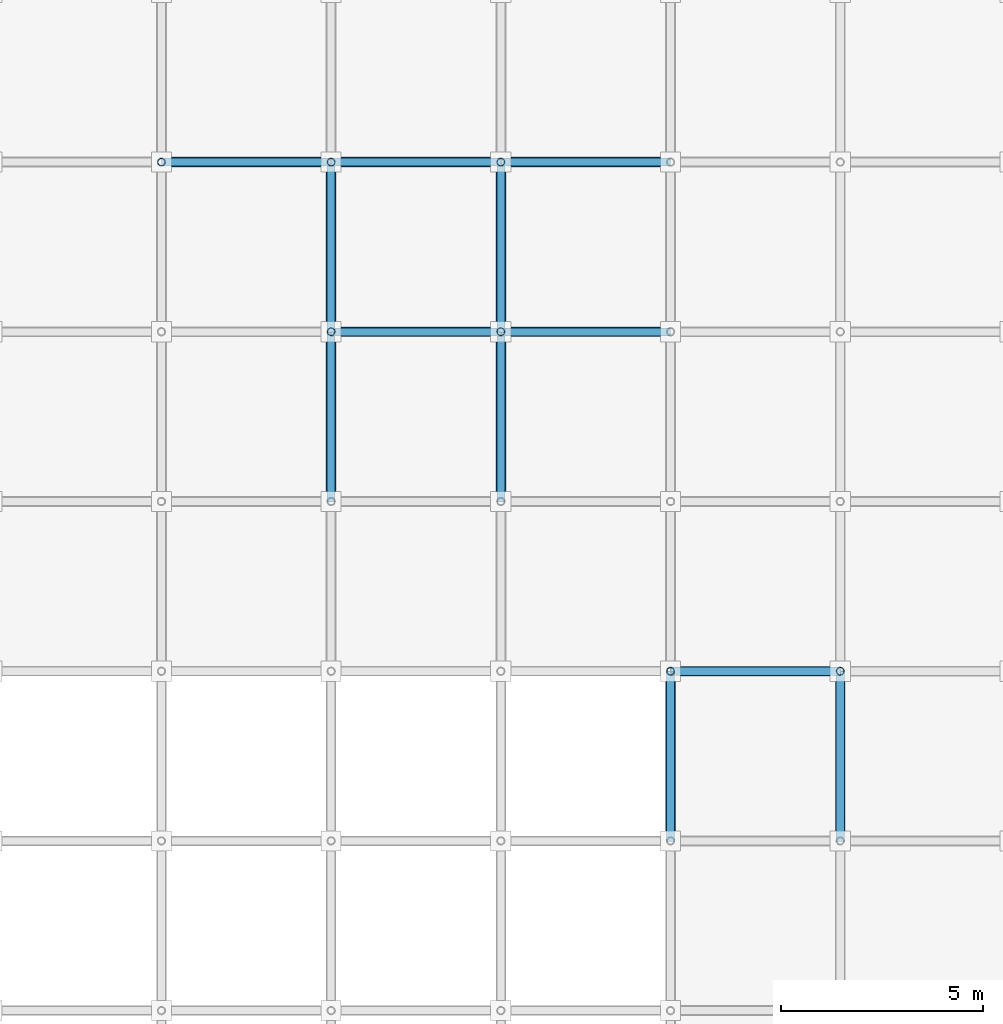
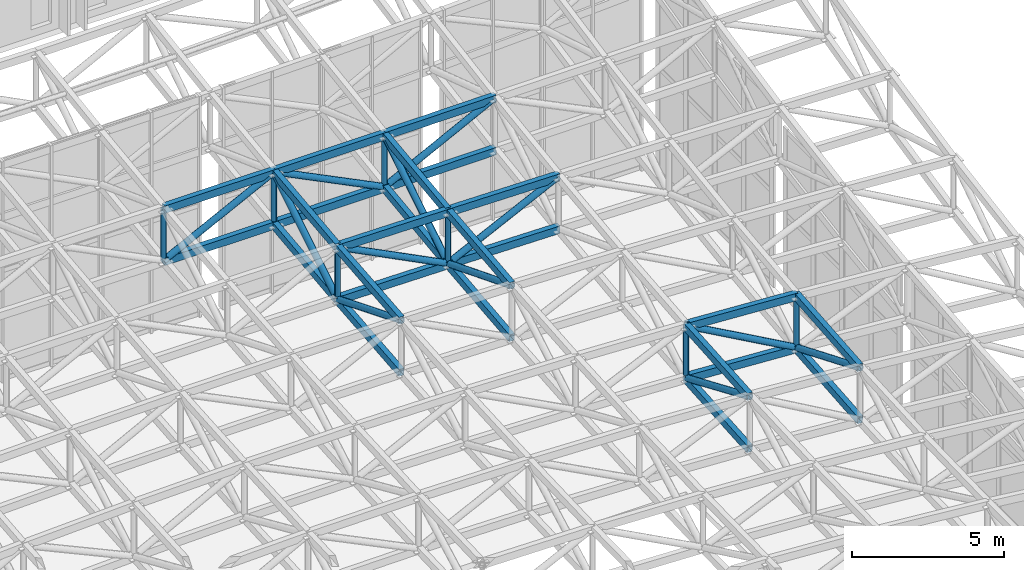
# One storey, part 50 of 123: 43 members.
"""IFC4 building model written with IfcOpenShell, lengths in metres."""

from ifc_helpers import new_model, si_unit, direction, frame, origin, origin_2d, place, context, subcontext, project, spatial, hollow_rectangle, hollow_circle, extrude, material, material_profile, profile_set, type_object, element, save


model = new_model("IFC4")

# Units and contexts
model_context = context("Model", 3, precision=1e-05, world=origin(), true_north=direction((0.0, 1.0)))
body_context = subcontext(model_context, "Body", "Model", "MODEL_VIEW")
ifc_project = project(units=[si_unit("LENGTHUNIT", "METRE"), si_unit("AREAUNIT", "SQUARE_METRE"), si_unit("VOLUMEUNIT", "CUBIC_METRE"), si_unit("PLANEANGLEUNIT", "RADIAN"), si_unit("MASSUNIT", "GRAM", prefix="KILO")], contexts=[model_context])

# Site, building, storey
site_placement = place(None, origin())
site = spatial("IfcSite", under=ifc_project, at=site_placement, CompositionType="ELEMENT")
building_placement = place(site_placement, origin())
building = spatial("IfcBuilding", under=site, at=building_placement, Name="Cumbredor Promenade Congress Hotel", CompositionType="ELEMENT")
storey_placement = place(building_placement, frame((0.0, 0.0, 11.760009765625)))
storey = spatial("IfcBuildingStorey", under=building, at=storey_placement, Name="L03", CompositionType="ELEMENT", Elevation=11.760009765625)

# Members
ifc_material = material(Name="Steel ASTM A500 Grade C", Category="steel")
ifc_material_profile_1 = material_profile(ifc_material, hollow_rectangle(XDim=0.199951171875, YDim=0.300048828125, WallThickness=0.012451171875, at=origin_2d()), Name="HSS 300x200x12.5")
ifc_profile_set_1 = profile_set([ifc_material_profile_1], Name="Steel ASTM A500 Grade C")
member_type_1 = type_object("IfcMemberType", Name="Ballroom Roof Space Frame Chord", PredefinedType="CHORD", material=ifc_profile_set_1)
for number, where, z_axis, x_axis, name in (
    (1, (176.39990234375, 50.39990234375, 6.68212890625), (0.998209144238, 0.0, -0.059820601471), (0.0, 1.0, 0.0), "Grand Ballroom Pavilion X Top Chord 10.13"),
    (2, (176.39990234375, 50.39990234375, 4.582275390625), (0.998205677885, 0.0, -0.05987841546), (0.0, 1.0, 0.0), "Grand Ballroom Pavilion X Bottom Chord 10.13"),
):
    element("IfcMember", number, at=place(storey_placement, frame(where, z_axis=z_axis, x_axis=x_axis)), inside=storey, type_object=member_type_1, Name=name, PredefinedType="CHORD", context=body_context, shape_type="SweptSolid", body=[
        extrude(hollow_rectangle(XDim=0.199951171875, YDim=0.300048828125, WallThickness=0.012451171875, at=origin_2d()), origin(), (0.0, 0.0, 1.0), 4.207763671875),
    ])
for number, where, z_axis, x_axis, name in (
    (3, (168.0, 58.800048828125, 7.69140625), (0.999968291032, 0.0, -0.007963474735), (0.0, 1.0, 0.0), "Grand Ballroom Pavilion X Top Chord 8.15"),
    (4, (168.0, 58.800048828125, 5.59130859375), (0.999968752226, 0.0, -0.007905350829), (0.0, 1.0, 0.0), "Grand Ballroom Pavilion X Bottom Chord 8.15"),
):
    element("IfcMember", number, at=place(storey_placement, frame(where, z_axis=z_axis, x_axis=x_axis)), inside=storey, type_object=member_type_1, Name=name, PredefinedType="CHORD", context=body_context, shape_type="SweptSolid", body=[
        extrude(hollow_rectangle(XDim=0.199951171875, YDim=0.300048828125, WallThickness=0.012451171875, at=origin_2d()), origin(), (0.0, 0.0, 1.0), 4.2001953125),
    ])
for number, where, z_axis, x_axis, name in (
    (5, (172.199951171875, 58.800048828125, 7.657958984375), (0.999912183907, 0.0, -0.013252338425), (0.0, 1.0, 0.0), "Grand Ballroom Pavilion X Top Chord 9.15"),
    (6, (172.199951171875, 58.800048828125, 5.55810546875), (0.999911412004, 0.0, -0.013310452441), (0.0, 1.0, 0.0), "Grand Ballroom Pavilion X Bottom Chord 9.15"),
):
    element("IfcMember", number, at=place(storey_placement, frame(where, z_axis=z_axis, x_axis=x_axis)), inside=storey, type_object=member_type_1, Name=name, PredefinedType="CHORD", context=body_context, shape_type="SweptSolid", body=[
        extrude(hollow_rectangle(XDim=0.199951171875, YDim=0.300048828125, WallThickness=0.012451171875, at=origin_2d()), origin(), (0.0, 0.0, 1.0), 4.200439453125),
    ])
for number, where, z_axis, x_axis, name in (
    (7, (163.800048828125, 63.0, 8.167236328125), (0.999999254925, 0.0, 0.001220716407), (0.0, 1.0, 0.0), "Grand Ballroom Pavilion X Top Chord 7.16"),
    (8, (163.800048828125, 63.0, 6.067138671875), (0.999999182277, 0.0, 0.001278845667), (0.0, 1.0, 0.0), "Grand Ballroom Pavilion X Bottom Chord 7.16"),
    (9, (168.0, 63.0, 8.17236328125), (0.999992640561, 0.0, 0.003836511904), (0.0, 1.0, 0.0), "Grand Ballroom Pavilion X Top Chord 8.16"),
    (10, (168.0, 63.0, 6.072509765625), (0.999992640561, 0.0, 0.003836511904), (0.0, 1.0, 0.0), "Grand Ballroom Pavilion X Bottom Chord 8.16"),
    (11, (172.199951171875, 63.0, 8.1884765625), (0.999979184156, 0.0, 0.006452228649), (0.0, 1.0, 0.0), "Grand Ballroom Pavilion X Top Chord 9.16"),
    (12, (172.199951171875, 63.0, 6.088623046875), (0.999979557515, 0.0, 0.00639410285), (0.0, 1.0, 0.0), "Grand Ballroom Pavilion X Bottom Chord 9.16"),
):
    element("IfcMember", number, at=place(storey_placement, frame(where, z_axis=z_axis, x_axis=x_axis)), inside=storey, type_object=member_type_1, Name=name, PredefinedType="CHORD", context=body_context, shape_type="SweptSolid", body=[
        extrude(hollow_rectangle(XDim=0.199951171875, YDim=0.300048828125, WallThickness=0.012451171875, at=origin_2d()), origin(), (0.0, 0.0, 1.0), 4.199951171875),
    ])
for number, where, z_axis, x_axis, name in (
    (13, (168.0, 54.60009765625, 7.29052734375), (0.0, 0.995475685358, 0.095016629388), (-1.0, 0.0, 0.0), "Grand Ballroom Pavilion Y Top Chord 8.14"),
    (14, (168.0, 54.60009765625, 5.190673828125), (0.0, 0.995481157131, 0.094959284942), (-1.0, 0.0, 0.0), "Grand Ballroom Pavilion Y Bottom Chord 8.14"),
):
    element("IfcMember", number, at=place(storey_placement, frame(where, z_axis=z_axis, x_axis=x_axis)), inside=storey, type_object=member_type_1, Name=name, PredefinedType="CHORD", context=body_context, shape_type="SweptSolid", body=[
        extrude(hollow_rectangle(XDim=0.199951171875, YDim=0.300048828125, WallThickness=0.012451171875, at=origin_2d()), origin(), (0.0, 0.0, 1.0), 4.218994140625),
    ])
member_1_placement = place(storey_placement, frame((168.0, 58.800048828125, 7.69140625), z_axis=(0.0, 0.99350695901, 0.113771360184), x_axis=(-1.0, 0.0, 0.0)))
element("IfcMember", 15, at=member_1_placement, inside=storey, type_object=member_type_1, Name="Grand Ballroom Pavilion Y Top Chord 8.15", PredefinedType="CHORD", context=body_context, shape_type="SweptSolid", body=[
    extrude(hollow_rectangle(XDim=0.199951171875, YDim=0.300048828125, WallThickness=0.012451171875, at=origin_2d()), origin(), (0.0, 0.0, 1.0), 4.227294921875),
])
member_2_placement = place(storey_placement, frame((168.0, 58.800048828125, 5.59130859375), z_axis=(0.0, 0.993500429561, 0.113828364045), x_axis=(-1.0, 0.0, 0.0)))
element("IfcMember", 16, at=member_2_placement, inside=storey, type_object=member_type_1, Name="Grand Ballroom Pavilion Y Bottom Chord 8.15", PredefinedType="CHORD", context=body_context, shape_type="SweptSolid", body=[
    extrude(hollow_rectangle(XDim=0.199951171875, YDim=0.300048828125, WallThickness=0.012451171875, at=origin_2d()), origin(), (0.0, 0.0, 1.0), 4.2275390625),
])
for number, where, z_axis, x_axis, name in (
    (17, (172.199951171875, 54.60009765625, 7.2158203125), (0.0, 0.99450450258, 0.104693812368), (-1.0, 0.0, 0.0), "Grand Ballroom Pavilion Y Top Chord 9.14"),
    (18, (172.199951171875, 54.60009765625, 5.11572265625), (0.0, 0.99449848189, 0.104750988152), (-1.0, 0.0, 0.0), "Grand Ballroom Pavilion Y Bottom Chord 9.14"),
):
    element("IfcMember", number, at=place(storey_placement, frame(where, z_axis=z_axis, x_axis=x_axis)), inside=storey, type_object=member_type_1, Name=name, PredefinedType="CHORD", context=body_context, shape_type="SweptSolid", body=[
        extrude(hollow_rectangle(XDim=0.199951171875, YDim=0.300048828125, WallThickness=0.012451171875, at=origin_2d()), origin(), (0.0, 0.0, 1.0), 4.22314453125),
    ])
for number, where, z_axis, x_axis, name in (
    (19, (172.199951171875, 58.800048828125, 7.657958984375), (0.0, 0.992116453102, 0.125319365959), (-1.0, 0.0, 0.0), "Grand Ballroom Pavilion Y Top Chord 9.15"),
    (20, (172.199951171875, 58.800048828125, 5.55810546875), (0.0, 0.992116453102, 0.125319365959), (-1.0, 0.0, 0.0), "Grand Ballroom Pavilion Y Bottom Chord 9.15"),
):
    element("IfcMember", number, at=place(storey_placement, frame(where, z_axis=z_axis, x_axis=x_axis)), inside=storey, type_object=member_type_1, Name=name, PredefinedType="CHORD", context=body_context, shape_type="SweptSolid", body=[
        extrude(hollow_rectangle(XDim=0.199951171875, YDim=0.300048828125, WallThickness=0.012451171875, at=origin_2d()), origin(), (0.0, 0.0, 1.0), 4.2333984375),
    ])
for number, where, z_axis, x_axis, name in (
    (21, (176.39990234375, 46.199951171875, 6.37548828125), (0.0, 0.997345340249, 0.072816703328), (-1.0, 0.0, 0.0), "Grand Ballroom Pavilion Y Top Chord 10.12"),
    (22, (176.39990234375, 46.199951171875, 4.275390625), (0.0, 0.997341128252, 0.072874370645), (-1.0, 0.0, 0.0), "Grand Ballroom Pavilion Y Bottom Chord 10.12"),
):
    element("IfcMember", number, at=place(storey_placement, frame(where, z_axis=z_axis, x_axis=x_axis)), inside=storey, type_object=member_type_1, Name=name, PredefinedType="CHORD", context=body_context, shape_type="SweptSolid", body=[
        extrude(hollow_rectangle(XDim=0.199951171875, YDim=0.300048828125, WallThickness=0.012451171875, at=origin_2d()), origin(), (0.0, 0.0, 1.0), 4.211181640625),
    ])
for number, where, z_axis, x_axis, name in (
    (23, (180.60009765625, 46.199951171875, 6.065673828125), (0.0, 0.996250143488, 0.086519660197), (-1.0, 0.0, 0.0), "Grand Ballroom Pavilion Y Top Chord 11.12"),
    (24, (180.60009765625, 46.199951171875, 3.965576171875), (0.0, 0.996250143488, 0.086519660197), (-1.0, 0.0, 0.0), "Grand Ballroom Pavilion Y Bottom Chord 11.12"),
):
    element("IfcMember", number, at=place(storey_placement, frame(where, z_axis=z_axis, x_axis=x_axis)), inside=storey, type_object=member_type_1, Name=name, PredefinedType="CHORD", context=body_context, shape_type="SweptSolid", body=[
        extrude(hollow_rectangle(XDim=0.199951171875, YDim=0.300048828125, WallThickness=0.012451171875, at=origin_2d()), origin(), (0.0, 0.0, 1.0), 4.2158203125),
    ])
ifc_material_profile_2 = material_profile(ifc_material, hollow_circle(Radius=0.122314453125, WallThickness=0.012451171875, at=origin_2d()), Name="CHS 244.5x12.5")
ifc_profile_set_2 = profile_set([ifc_material_profile_2], Name="Steel ASTM A500 Grade C")
member_type_2 = type_object("IfcMemberType", Name="Space Frame Web Diagonal D2", PredefinedType="BRACE", material=ifc_profile_set_2)
member_3_placement = place(storey_placement, frame((176.39990234375, 50.39990234375, 6.68212890625), z_axis=(0.872532824766, 0.0, -0.488555492965), x_axis=(0.0, 1.0, 0.0)))
element("IfcMember", 25, at=member_3_placement, inside=storey, type_object=member_type_2, Name="Grand Ballroom Pavilion X Web Diagonal 10.13", PredefinedType="BRACE", context=body_context, shape_type="SweptSolid", body=[
    extrude(hollow_circle(Radius=0.122314453125, WallThickness=0.012451171875, at=origin_2d()), origin(), (0.0, 0.0, 1.0), 4.813720703125),
])
member_4_placement = place(storey_placement, frame((168.0, 58.800048828125, 7.69140625), z_axis=(0.891579532407, 0.0, -0.452864148938), x_axis=(0.0, 1.0, 0.0)))
element("IfcMember", 26, at=member_4_placement, inside=storey, type_object=member_type_2, Name="Grand Ballroom Pavilion X Web Diagonal 8.15", PredefinedType="BRACE", context=body_context, shape_type="SweptSolid", body=[
    extrude(hollow_circle(Radius=0.122314453125, WallThickness=0.012451171875, at=origin_2d()), origin(), (0.0, 0.0, 1.0), 4.710693359375),
])
member_5_placement = place(storey_placement, frame((172.199951171875, 58.800048828125, 5.55810546875), z_axis=(0.899153384276, 0.0, 0.437633627073), x_axis=(0.0, 1.0, 0.0)))
element("IfcMember", 27, at=member_5_placement, inside=storey, type_object=member_type_2, Name="Grand Ballroom Pavilion X Web Diagonal 9.15", PredefinedType="BRACE", context=body_context, shape_type="SweptSolid", body=[
    extrude(hollow_circle(Radius=0.122314453125, WallThickness=0.012451171875, at=origin_2d()), origin(), (0.0, 0.0, 1.0), 4.6708984375),
])
member_6_placement = place(storey_placement, frame((163.800048828125, 63.0, 6.067138671875), z_axis=(0.893979832423, 0.0, 0.448107196128), x_axis=(0.0, 1.0, 0.0)))
element("IfcMember", 28, at=member_6_placement, inside=storey, type_object=member_type_2, Name="Grand Ballroom Pavilion X Web Diagonal 7.16", PredefinedType="BRACE", context=body_context, shape_type="SweptSolid", body=[
    extrude(hollow_circle(Radius=0.122314453125, WallThickness=0.012451171875, at=origin_2d()), origin(), (0.0, 0.0, 1.0), 4.697998046875),
])
member_7_placement = place(storey_placement, frame((168.0, 63.0, 8.17236328125), z_axis=(0.895808036818, 0.0, -0.444441178529), x_axis=(0.0, 1.0, 0.0)))
element("IfcMember", 29, at=member_7_placement, inside=storey, type_object=member_type_2, Name="Grand Ballroom Pavilion X Web Diagonal 8.16", PredefinedType="BRACE", context=body_context, shape_type="SweptSolid", body=[
    extrude(hollow_circle(Radius=0.122314453125, WallThickness=0.012451171875, at=origin_2d()), origin(), (0.0, 0.0, 1.0), 4.6884765625),
])
member_8_placement = place(storey_placement, frame((172.199951171875, 63.0, 6.088623046875), z_axis=(0.892123293135, 0.0, 0.451792020566), x_axis=(0.0, 1.0, 0.0)))
element("IfcMember", 30, at=member_8_placement, inside=storey, type_object=member_type_2, Name="Grand Ballroom Pavilion X Web Diagonal 9.16", PredefinedType="BRACE", context=body_context, shape_type="SweptSolid", body=[
    extrude(hollow_circle(Radius=0.122314453125, WallThickness=0.012451171875, at=origin_2d()), origin(), (0.0, 0.0, 1.0), 4.707763671875),
])
member_9_placement = place(storey_placement, frame((168.0, 54.60009765625, 7.29052734375), z_axis=(0.0, 0.927005255306, -0.375048339065), x_axis=(-1.0, 0.0, 0.0)))
element("IfcMember", 31, at=member_9_placement, inside=storey, type_object=member_type_2, Name="Grand Ballroom Pavilion Y Web Diagonal 8.14", PredefinedType="BRACE", context=body_context, shape_type="SweptSolid", body=[
    extrude(hollow_circle(Radius=0.122314453125, WallThickness=0.012451171875, at=origin_2d()), origin(), (0.0, 0.0, 1.0), 4.53076171875),
])
member_10_placement = place(storey_placement, frame((168.0, 58.800048828125, 5.59130859375), z_axis=(0.0, 0.851977838683, 0.523577847501), x_axis=(-1.0, 0.0, 0.0)))
element("IfcMember", 32, at=member_10_placement, inside=storey, type_object=member_type_2, Name="Grand Ballroom Pavilion Y Web Diagonal 8.15", PredefinedType="BRACE", context=body_context, shape_type="SweptSolid", body=[
    extrude(hollow_circle(Radius=0.122314453125, WallThickness=0.012451171875, at=origin_2d()), origin(), (0.0, 0.0, 1.0), 4.9296875),
])
member_11_placement = place(storey_placement, frame((172.199951171875, 54.60009765625, 7.2158203125), z_axis=(0.0, 0.930167369579, -0.367135757684), x_axis=(-1.0, 0.0, 0.0)))
element("IfcMember", 33, at=member_11_placement, inside=storey, type_object=member_type_2, Name="Grand Ballroom Pavilion Y Web Diagonal 9.14", PredefinedType="BRACE", context=body_context, shape_type="SweptSolid", body=[
    extrude(hollow_circle(Radius=0.122314453125, WallThickness=0.012451171875, at=origin_2d()), origin(), (0.0, 0.0, 1.0), 4.515380859375),
])
member_12_placement = place(storey_placement, frame((172.199951171875, 58.800048828125, 5.55810546875), z_axis=(0.0, 0.84750805815, 0.530782527379), x_axis=(-1.0, 0.0, 0.0)))
element("IfcMember", 34, at=member_12_placement, inside=storey, type_object=member_type_2, Name="Grand Ballroom Pavilion Y Web Diagonal 9.15", PredefinedType="BRACE", context=body_context, shape_type="SweptSolid", body=[
    extrude(hollow_circle(Radius=0.122314453125, WallThickness=0.012451171875, at=origin_2d()), origin(), (0.0, 0.0, 1.0), 4.95556640625),
])
member_13_placement = place(storey_placement, frame((176.39990234375, 46.199951171875, 6.37548828125), z_axis=(0.0, 0.91968062597, -0.392667220703), x_axis=(-1.0, 0.0, 0.0)))
element("IfcMember", 35, at=member_13_placement, inside=storey, type_object=member_type_2, Name="Grand Ballroom Pavilion Y Web Diagonal 10.12", PredefinedType="BRACE", context=body_context, shape_type="SweptSolid", body=[
    extrude(hollow_circle(Radius=0.122314453125, WallThickness=0.012451171875, at=origin_2d()), origin(), (0.0, 0.0, 1.0), 4.566650390625),
])
member_14_placement = place(storey_placement, frame((180.60009765625, 46.199951171875, 6.065673828125), z_axis=(0.0, 0.924215677374, -0.381870896633), x_axis=(-1.0, 0.0, 0.0)))
element("IfcMember", 36, at=member_14_placement, inside=storey, type_object=member_type_2, Name="Grand Ballroom Pavilion Y Web Diagonal 11.12", PredefinedType="BRACE", context=body_context, shape_type="SweptSolid", body=[
    extrude(hollow_circle(Radius=0.122314453125, WallThickness=0.012451171875, at=origin_2d()), origin(), (0.0, 0.0, 1.0), 4.54443359375),
])
ifc_material_profile_3 = material_profile(ifc_material, hollow_circle(Radius=0.096923828125, WallThickness=0.010009765625, at=origin_2d()), Name="CHS 193.7x10")
ifc_profile_set_3 = profile_set([ifc_material_profile_3], Name="Steel ASTM A500 Grade C")
member_type_3 = type_object("IfcMemberType", Name="Space Frame Web Post P1", PredefinedType="BRACE", material=ifc_profile_set_3)
for number, where, z_axis, x_axis, name in (
    (37, (163.800048828125, 63.0, 6.067138671875), (0.0, 0.0, 1.0), (1.0, 0.0, 0.0), "Grand Ballroom Pavilion Space Frame Web Post 7.16"),
    (38, (168.0, 58.800048828125, 5.59130859375), (0.0, 0.0, 1.0), (1.0, 0.0, 0.0), "Grand Ballroom Pavilion Space Frame Web Post 8.15"),
):
    element("IfcMember", number, at=place(storey_placement, frame(where, z_axis=z_axis, x_axis=x_axis)), inside=storey, type_object=member_type_3, Name=name, PredefinedType="BRACE", context=body_context, shape_type="SweptSolid", body=[
        extrude(hollow_circle(Radius=0.096923828125, WallThickness=0.010009765625, at=origin_2d()), origin(), (0.0, 0.0, 1.0), 2.10009765625),
    ])
for number, where, z_axis, x_axis, name in (
    (39, (168.0, 63.0, 6.072509765625), (0.0, 0.0, 1.0), (1.0, 0.0, 0.0), "Grand Ballroom Pavilion Space Frame Web Post 8.16"),
    (40, (172.199951171875, 58.800048828125, 5.55810546875), (0.0, 0.0, 1.0), (1.0, 0.0, 0.0), "Grand Ballroom Pavilion Space Frame Web Post 9.15"),
    (41, (172.199951171875, 63.0, 6.088623046875), (0.0, 0.0, 1.0), (1.0, 0.0, 0.0), "Grand Ballroom Pavilion Space Frame Web Post 9.16"),
    (42, (176.39990234375, 50.39990234375, 4.582275390625), (0.0, 0.0, 1.0), (1.0, 0.0, 0.0), "Grand Ballroom Pavilion Space Frame Web Post 10.13"),
):
    element("IfcMember", number, at=place(storey_placement, frame(where, z_axis=z_axis, x_axis=x_axis)), inside=storey, type_object=member_type_3, Name=name, PredefinedType="BRACE", context=body_context, shape_type="SweptSolid", body=[
        extrude(hollow_circle(Radius=0.096923828125, WallThickness=0.010009765625, at=origin_2d()), origin(), (0.0, 0.0, 1.0), 2.099853515625),
    ])
member_15_placement = place(storey_placement, frame((180.60009765625, 50.39990234375, 4.330322265625), z_axis=(0.0, 0.0, 1.0), x_axis=(1.0, 0.0, 0.0)))
element("IfcMember", 43, at=member_15_placement, inside=storey, type_object=member_type_3, Name="Grand Ballroom Pavilion Space Frame Web Post 11.13", PredefinedType="BRACE", context=body_context, shape_type="SweptSolid", body=[
    extrude(hollow_circle(Radius=0.096923828125, WallThickness=0.010009765625, at=origin_2d()), origin(), (0.0, 0.0, 1.0), 2.10009765625),
])

save(model, "model.ifc")
